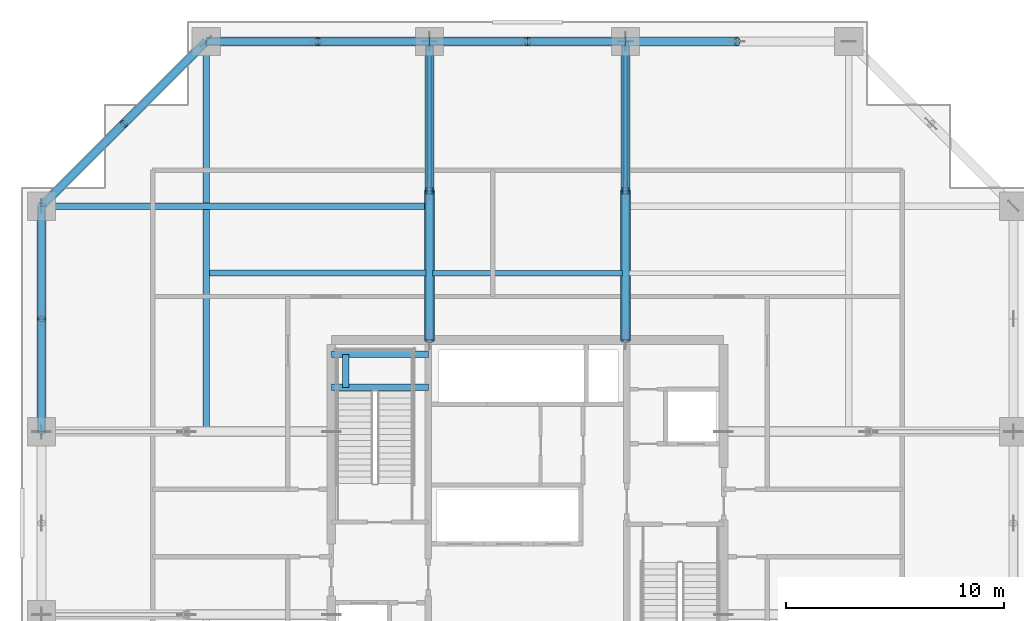
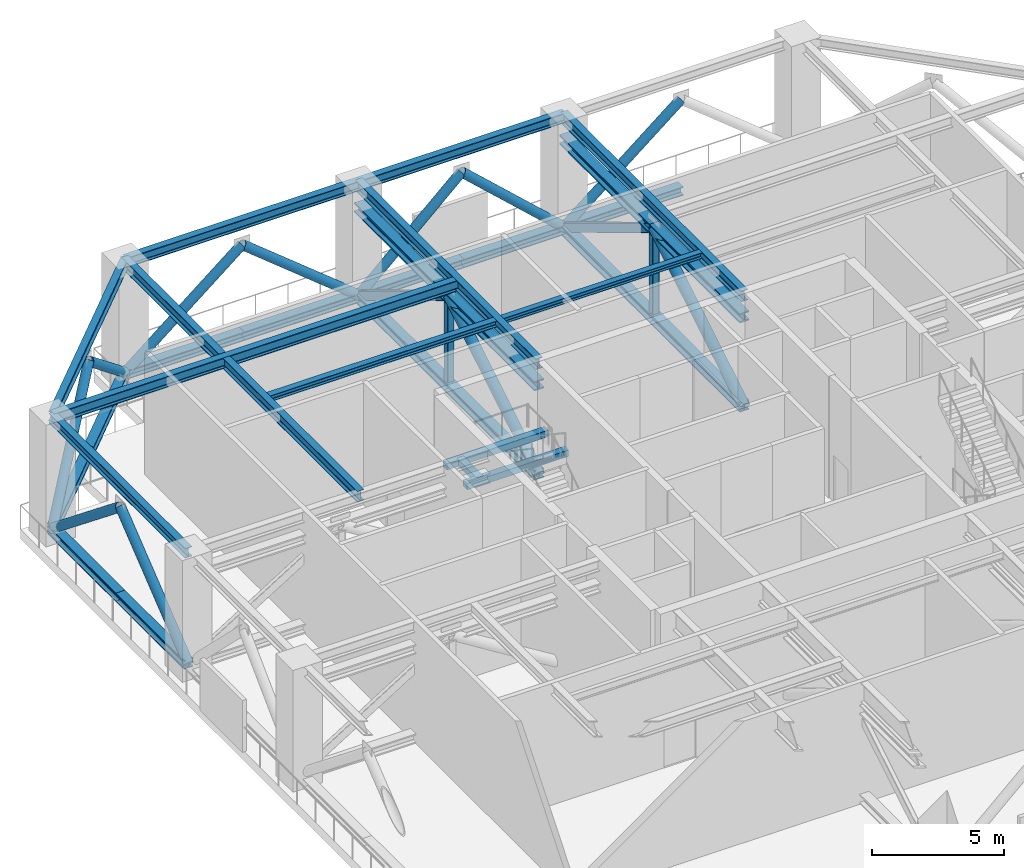
# One storey, part 5 of 22: 32 members, 13 beams.
"""IFC4 building model written with IfcOpenShell, lengths in metres."""

import ifcopenshell
import ifcopenshell.guid

model = None  # the IFC model being written
_history = None  # IfcOwnerHistory: only IFC2X3 demands one
_inside = {}  # id of a spatial element -> (the spatial element, [elements in it])
_under = {}  # id of a project, library or spatial element -> (it, [spatial elements below it])
_declared = {}  # id of a project -> (the project, [libraries it declares])
_typed = {}  # id of a type object -> (the type object, [elements of that type])
_made_of = {}  # id of a material, layer set ... -> (it, [elements and type objects made of it])


def new_model(schema):
    """Start an empty IFC model of exactly this schema.

    Asked for "IFC4X3", IfcOpenShell would pick the latest addendum, in which some entities
    have other attributes; the version numbers below select the first issue.
    IFC2X3 requires an IfcOwnerHistory on every rooted entity: one is made here for all.
    """
    global model, _history
    if schema == "IFC4X3":
        model = ifcopenshell.file(schema_version=(4, 3, 0, 0))
    else:
        model = ifcopenshell.file(schema=schema)
    _inside.clear()
    _under.clear()
    _declared.clear()
    _typed.clear()
    _made_of.clear()
    _history = None
    if model.schema == "IFC2X3":
        org = make("IfcOrganization", Name="unknown")
        user = make(
            "IfcPersonAndOrganization",
            ThePerson=make("IfcPerson", FamilyName="unknown"),
            TheOrganization=org,
        )
        app = make(
            "IfcApplication",
            ApplicationDeveloper=org,
            Version="unknown",
            ApplicationFullName="unknown",
            ApplicationIdentifier="unknown",
        )
        _history = make(
            "IfcOwnerHistory",
            OwningUser=user,
            OwningApplication=app,
            ChangeAction="ADDED",
            CreationDate=0,
        )
    return model


def make(cls, **values):
    """One entity of the class cls with the attributes given. An attribute that is None is left unset."""
    return model.create_entity(
        cls, **{name: value for name, value in values.items() if value is not None}
    )


def rooted(cls, **values):
    """An entity with a GlobalId (a new one), such as an element, a storey or a relation."""
    return make(cls, GlobalId=ifcopenshell.guid.new(), OwnerHistory=_history, **values)


def si_unit(unit_type, name, prefix=None):
    """IfcSIUnit, for example si_unit("LENGTHUNIT", "METRE", prefix="MILLI")."""
    return make("IfcSIUnit", UnitType=unit_type, Prefix=prefix, Name=name)


def assignment(units):
    """IfcUnitAssignment: the units of a project."""
    return None if units is None else make("IfcUnitAssignment", Units=units)


def point(xyz):
    """IfcCartesianPoint."""
    return None if xyz is None else make("IfcCartesianPoint", Coordinates=xyz)


def direction(xyz):
    """IfcDirection."""
    return None if xyz is None else make("IfcDirection", DirectionRatios=xyz)


def frame(location, z_axis=None, x_axis=None):
    """IfcAxis2Placement3D, a coordinate frame: its origin and axes. An axis left out is left unset."""
    return make(
        "IfcAxis2Placement3D",
        Location=point(location),
        Axis=direction(z_axis),
        RefDirection=direction(x_axis),
    )


def frame_2d(location, x_axis=None):
    """IfcAxis2Placement2D, a coordinate frame in the plane: its origin and x axis."""
    return make(
        "IfcAxis2Placement2D", Location=point(location), RefDirection=direction(x_axis)
    )


def origin():
    """The frame at (0, 0, 0) with its axes left unset."""
    return frame((0.0, 0.0, 0.0))


def origin_2d():
    """The frame at (0, 0) in the plane with its x axis left unset."""
    return frame_2d((0.0, 0.0))


def place(relative_to, where):
    """IfcLocalPlacement: puts the frame where relative to a parent placement (None: the world)."""
    return make(
        "IfcLocalPlacement", PlacementRelTo=relative_to, RelativePlacement=where
    )


def context(
    kind, dimensions, precision=None, world=None, true_north=None, identifier=None
):
    """IfcGeometricRepresentationContext, for example the 3D "Model" context."""
    return make(
        "IfcGeometricRepresentationContext",
        ContextIdentifier=identifier,
        ContextType=kind,
        CoordinateSpaceDimension=dimensions,
        Precision=precision,
        WorldCoordinateSystem=world,
        TrueNorth=true_north,
    )


def subcontext(parent, identifier, kind, view, scale=None):
    """IfcGeometricRepresentationSubContext, for example "Body" below "Model"."""
    return make(
        "IfcGeometricRepresentationSubContext",
        ContextIdentifier=identifier,
        ContextType=kind,
        ParentContext=parent,
        TargetScale=scale,
        TargetView=view,
    )


def project(units=None, contexts=None):
    """IfcProject with its units and contexts."""
    return rooted(
        "IfcProject",
        Name="project",
        RepresentationContexts=contexts,
        UnitsInContext=assignment(units),
    )


def spatial(cls, under=None, at=None, **own):
    """A site, building, storey or space (cls), placed at a placement, below another one or the project."""
    s = rooted(cls, ObjectPlacement=at, **own)
    if under is not None:
        _under.setdefault(under.id(), (under, []))[1].append(s)
    return s


def profile(cls, at=None, kind="AREA", **sizes):
    """A parametric profile (cls). Its sizes go by their IFC names, for example OverallWidth=200.0."""
    return make(cls, ProfileType=kind, Position=at, **sizes)


def rectangle(**sizes):
    """IfcRectangleProfileDef."""
    return profile("IfcRectangleProfileDef", **sizes)


def hollow_rectangle(**sizes):
    """IfcRectangleHollowProfileDef."""
    return profile("IfcRectangleHollowProfileDef", **sizes)


def hollow_circle(**sizes):
    """IfcCircleHollowProfileDef."""
    return profile("IfcCircleHollowProfileDef", **sizes)


def i_section(**sizes):
    """IfcIShapeProfileDef."""
    return profile("IfcIShapeProfileDef", **sizes)


def extrude(swept, where, along, depth):
    """IfcExtrudedAreaSolid: the profile swept, set in the frame where, extruded along a direction by depth."""
    return make(
        "IfcExtrudedAreaSolid",
        SweptArea=swept,
        Position=where,
        ExtrudedDirection=direction(along),
        Depth=depth,
    )


def shape(context_of_items, identifier, shape_type, items):
    """IfcShapeRepresentation: the items that make up one representation, for example the "Body"."""
    return make(
        "IfcShapeRepresentation",
        ContextOfItems=context_of_items,
        RepresentationIdentifier=identifier,
        RepresentationType=shape_type,
        Items=items,
    )


def source(mapping_origin, context_of_items, identifier, shape_type, items):
    """IfcRepresentationMap: a shape defined once, which mapped items show again and again."""
    return make(
        "IfcRepresentationMap",
        MappingOrigin=mapping_origin,
        MappedRepresentation=shape(context_of_items, identifier, shape_type, items),
    )


def transform(
    local_origin,
    x_axis=None,
    y_axis=None,
    z_axis=None,
    scale=None,
    scale2=None,
    scale3=None,
    uniform=True,
):
    """IfcCartesianTransformationOperator3D, or its non-uniform kind. x_axis, y_axis, z_axis: its Axis1, 2, 3."""
    if uniform:
        return make(
            "IfcCartesianTransformationOperator3D",
            Axis1=direction(x_axis),
            Axis2=direction(y_axis),
            LocalOrigin=point(local_origin),
            Scale=scale,
            Axis3=direction(z_axis),
        )
    return make(
        "IfcCartesianTransformationOperator3DnonUniform",
        Axis1=direction(x_axis),
        Axis2=direction(y_axis),
        LocalOrigin=point(local_origin),
        Scale=scale,
        Axis3=direction(z_axis),
        Scale2=scale2,
        Scale3=scale3,
    )


def mapped(mapping_source, mapping_target):
    """IfcMappedItem: shows the shape of a source again, moved by a transform."""
    return make(
        "IfcMappedItem", MappingSource=mapping_source, MappingTarget=mapping_target
    )


def material(Name=None, Category=None):
    """IfcMaterial."""
    return make("IfcMaterial", Name=Name, Category=Category)


def material_profile(
    of_material, cross_section, Name=None, Category=None, Priority=None
):
    """IfcMaterialProfile: a cross section and its material."""
    return make(
        "IfcMaterialProfile",
        Name=Name,
        Material=of_material,
        Profile=cross_section,
        Priority=Priority,
        Category=Category,
    )


def profile_set(profiles, Name=None, composite=None):
    """IfcMaterialProfileSet."""
    return make(
        "IfcMaterialProfileSet",
        Name=Name,
        MaterialProfiles=profiles,
        CompositeProfile=composite,
    )


def made_of(thing, what):
    """Note that an element or type object is made of a material, layer set ...; save() writes the relation."""
    if what is not None:
        _made_of.setdefault(what.id(), (what, []))[1].append(thing)
    return thing


def type_object(cls, material=None, **own):
    """A type object (cls), such as IfcWallType, which elements share."""
    return made_of(rooted(cls, **own), material)


def element(
    cls,
    number,
    at=None,
    inside=None,
    cuts=None,
    type_object=None,
    material=None,
    context=None,
    identifier="Body",
    shape_type=None,
    held_by="IfcProductDefinitionShape",
    body=None,
    shapes=None,
    **own,
):
    """One element of the class cls, such as IfcWall. Its Tag is "e" and its number.

    at: its placement. inside: the storey or other place that contains it. cuts: it is an
    opening in that element (IfcRelVoidsElement). A single representation is given by context,
    identifier, shape_type and body (its items); several are given by shapes. held_by: the class
    of the entity that holds the representations. save() writes the other relations.
    """
    e = rooted(cls, Tag="e%d" % number, ObjectPlacement=at, **own)
    if body is not None:
        shapes = [shape(context, identifier, shape_type, body)]
    if shapes is not None:
        e.Representation = make(held_by, Representations=shapes)
    if inside is not None:
        _inside.setdefault(inside.id(), (inside, []))[1].append(e)
    if cuts is not None:
        rooted(
            "IfcRelVoidsElement", RelatingBuildingElement=cuts, RelatedOpeningElement=e
        )
    if type_object is not None:
        _typed.setdefault(type_object.id(), (type_object, []))[1].append(e)
    return made_of(e, material)


def aggregate(whole, parts):
    """IfcRelAggregates: a whole, such as a stair, and the parts it consists of."""
    return rooted("IfcRelAggregates", RelatingObject=whole, RelatedObjects=parts)


def save(model, path):
    """Write the relations noted so far, then the file.

    IfcRelAggregates (storeys below a building ...), IfcRelContainedInSpatialStructure (elements
    in a storey), IfcRelDefinesByType, IfcRelAssociatesMaterial and IfcRelDeclares: one each for
    every whole, place, type object, material and project.
    """
    for whole, parts in _under.values():
        aggregate(whole, parts)
    for where, things in _inside.values():
        rooted(
            "IfcRelContainedInSpatialStructure",
            RelatedElements=things,
            RelatingStructure=where,
        )
    for kind, things in _typed.values():
        rooted("IfcRelDefinesByType", RelatedObjects=things, RelatingType=kind)
    for what, things in _made_of.values():
        rooted("IfcRelAssociatesMaterial", RelatedObjects=things, RelatingMaterial=what)
    for by, libraries in _declared.values():
        rooted("IfcRelDeclares", RelatingContext=by, RelatedDefinitions=libraries)
    model.write(path)


model = new_model("IFC4")

# Units and contexts
model_context = context("Model", 3, precision=1e-05, world=origin(), true_north=direction((0.0, 1.0)))
body_context = subcontext(model_context, "Body", "Model", "MODEL_VIEW")
ifc_project = project(units=[si_unit("LENGTHUNIT", "METRE"), si_unit("AREAUNIT", "SQUARE_METRE"), si_unit("VOLUMEUNIT", "CUBIC_METRE"), si_unit("PLANEANGLEUNIT", "RADIAN"), si_unit("MASSUNIT", "GRAM", prefix="KILO")], contexts=[model_context])

# Site, building, storey
site_placement = place(None, origin())
site = spatial("IfcSite", under=ifc_project, at=site_placement, CompositionType="ELEMENT")
building_placement = place(site_placement, origin())
building = spatial("IfcBuilding", under=site, at=building_placement, Name="Serunith Strait Residences", CompositionType="ELEMENT")
storey_placement = place(building_placement, frame((0.0, 0.0, 198.89990234375)))
storey = spatial("IfcBuildingStorey", under=building, at=storey_placement, Name="L50", CompositionType="ELEMENT", Elevation=198.89990234375)

# Beams
ifc_material_1 = material(Name="Steel S355J2", Category="steel")
ifc_material_profile_1 = material_profile(ifc_material_1, i_section(OverallWidth=0.260009765625, OverallDepth=0.260009765625, WebThickness=0.010009765625, FlangeThickness=0.017578125, FilletRadius=0.02392578125, at=origin_2d()), Name="HEB 260")
ifc_profile_set_1 = profile_set([ifc_material_profile_1], Name="Steel S355J2")
beam_type_1 = type_object("IfcBeamType", Name="BM-HEB260", PredefinedType="JOIST", material=ifc_profile_set_1)
shared_shape_1 = source(origin(), body_context, "Body", "SweptSolid", [
    extrude(i_section(OverallWidth=0.260009765625, OverallDepth=0.260009765625, WebThickness=0.010009765625, FlangeThickness=0.017578125, FilletRadius=0.02392578125, at=origin_2d()), origin(), (0.0, 0.0, 1.0), 8.699951171875),
])
beam_1_placement = place(storey_placement, frame((28.050048828125, 36.675048828125, 5.507080078125), z_axis=(1.0, 0.0, 0.0), x_axis=(0.0, 1.0, 0.0)))
element("IfcBeam", 1, at=beam_1_placement, inside=storey, type_object=beam_type_1, Name="L50 Composite Floor Joist 05", PredefinedType="JOIST", context=body_context, shape_type="MappedRepresentation", body=[
    mapped(shared_shape_1, transform((0.0, 0.0, 0.0), scale=1.0)),
])
ifc_material_profile_2 = material_profile(ifc_material_1, i_section(OverallWidth=0.300048828125, OverallDepth=0.449951171875, WebThickness=0.013916015625, FlangeThickness=0.02587890625, FilletRadius=0.027099609375, at=origin_2d()), Name="HEB 450")
ifc_profile_set_2 = profile_set([ifc_material_profile_2], Name="Steel S355J2")
beam_type_2 = type_object("IfcBeamType", Name="BM-HEB450", PredefinedType="BEAM", material=ifc_profile_set_2)
shared_shape_2 = source(origin(), body_context, "Body", "SweptSolid", [
    extrude(i_section(OverallWidth=0.300048828125, OverallDepth=0.449951171875, WebThickness=0.013916015625, FlangeThickness=0.02587890625, FilletRadius=0.027099609375, at=origin_2d()), origin(), (0.0, 0.0, 1.0), 9.0),
])
beam_2_placement = place(storey_placement, frame((36.89990234375, 47.300048828125, 5.412109375), z_axis=(-1.0, 0.0, 0.0), x_axis=(0.0, -1.0, 0.0)))
element("IfcBeam", 2, at=beam_2_placement, inside=storey, type_object=beam_type_2, Name="L50 Perimeter Ring Beam 10", PredefinedType="BEAM", context=body_context, shape_type="MappedRepresentation", body=[
    mapped(shared_shape_2, transform((0.0, 0.0, 0.0), scale=1.0)),
])
ifc_material_profile_3 = material_profile(ifc_material_1, i_section(OverallWidth=0.300048828125, OverallDepth=0.5, WebThickness=0.014404296875, FlangeThickness=0.028076171875, FilletRadius=0.027099609375, at=origin_2d()), Name="HEB 500")
ifc_profile_set_3 = profile_set([ifc_material_profile_3], Name="Steel S355J2")
beam_type_3 = type_object("IfcBeamType", Name="BM-HEB500", PredefinedType="BEAM", material=ifc_profile_set_3)
shared_shape_3 = source(origin(), body_context, "Body", "SweptSolid", [
    extrude(i_section(OverallWidth=0.300048828125, OverallDepth=0.5, WebThickness=0.014404296875, FlangeThickness=0.028076171875, FilletRadius=0.027099609375, at=origin_2d()), origin(), (0.0, 0.0, 1.0), 13.699951171875),
])
for number, where, z_axis, x_axis, name in (
    (3, (27.89990234375, 33.60009765625, 5.38720703125), (0.0, 1.0, 0.0), (-1.0, 0.0, 0.0), "L50 Primary Floor Girder TC-N2"),
    (4, (36.89990234375, 33.60009765625, 5.38720703125), (0.0, 1.0, 0.0), (-1.0, 0.0, 0.0), "L50 Primary Floor Girder TC-N3"),
):
    element("IfcBeam", number, at=place(storey_placement, frame(where, z_axis=z_axis, x_axis=x_axis)), inside=storey, type_object=beam_type_3, Name=name, PredefinedType="BEAM", context=body_context, shape_type="MappedRepresentation", body=[
        mapped(shared_shape_3, transform((0.0, 0.0, 0.0), scale=1.0)),
    ])
shared_shape_4 = source(origin(), body_context, "Body", "SweptSolid", [
    extrude(i_section(OverallWidth=0.300048828125, OverallDepth=0.5, WebThickness=0.014404296875, FlangeThickness=0.028076171875, FilletRadius=0.027099609375, at=origin_2d()), origin(), (0.0, 0.0, 1.0), 17.900146484375),
])
beam_3_placement = place(storey_placement, frame((17.64990234375, 29.39990234375, 5.38720703125), z_axis=(0.0, 1.0, 0.0), x_axis=(-1.0, 0.0, 0.0)))
element("IfcBeam", 5, at=beam_3_placement, inside=storey, type_object=beam_type_3, Name="L50 Orthogonal Corner Girder TC-N1", PredefinedType="BEAM", context=body_context, shape_type="MappedRepresentation", body=[
    mapped(shared_shape_4, transform((0.0, 0.0, 0.0), scale=1.0)),
])
shared_shape_5 = source(origin(), body_context, "Body", "SweptSolid", [
    extrude(i_section(OverallWidth=0.300048828125, OverallDepth=0.5, WebThickness=0.014404296875, FlangeThickness=0.028076171875, FilletRadius=0.027099609375, at=origin_2d()), origin(), (0.0, 0.0, 1.0), 17.7998046875),
])
beam_4_placement = place(storey_placement, frame((27.89990234375, 39.75, 5.38720703125), z_axis=(-1.0, 0.0, 0.0), x_axis=(0.0, -1.0, 0.0)))
element("IfcBeam", 6, at=beam_4_placement, inside=storey, type_object=beam_type_3, Name="L50 Orthogonal Corner Girder TC-W4", PredefinedType="BEAM", context=body_context, shape_type="MappedRepresentation", body=[
    mapped(shared_shape_5, transform((0.0, 0.0, 0.0), scale=1.0)),
])
shared_shape_6 = source(origin(), body_context, "Body", "SweptSolid", [
    extrude(i_section(OverallWidth=0.300048828125, OverallDepth=0.449951171875, WebThickness=0.013916015625, FlangeThickness=0.02587890625, FilletRadius=0.027099609375, at=origin_2d()), origin(), (0.0, 0.0, 1.0), 10.25),
])
beam_5_placement = place(storey_placement, frame((27.89990234375, 47.300048828125, 5.412109375), z_axis=(-1.0, 0.0, 0.0), x_axis=(0.0, -1.0, 0.0)))
element("IfcBeam", 7, at=beam_5_placement, inside=storey, type_object=beam_type_2, Name="L50 Perimeter Ring Beam 11", PredefinedType="BEAM", context=body_context, shape_type="MappedRepresentation", body=[
    mapped(shared_shape_6, transform((0.0, 0.0, 0.0), scale=1.0)),
])
shared_shape_7 = source(origin(), body_context, "Body", "SweptSolid", [
    extrude(i_section(OverallWidth=0.300048828125, OverallDepth=0.449951171875, WebThickness=0.013916015625, FlangeThickness=0.02587890625, FilletRadius=0.027099609375, at=origin_2d()), origin(), (0.0, 0.0, 1.0), 10.67724609375),
])
beam_6_placement = place(storey_placement, frame((17.64990234375, 47.300048828125, 5.412109375), z_axis=(-0.707095348302, -0.707118213887, 0.0), x_axis=(0.707118213887, -0.707095348302, 0.0)))
element("IfcBeam", 8, at=beam_6_placement, inside=storey, type_object=beam_type_2, Name="L50 Perimeter Ring Beam 12", PredefinedType="BEAM", context=body_context, shape_type="MappedRepresentation", body=[
    mapped(shared_shape_7, transform((0.0, 0.0, 0.0), scale=1.0)),
])
shared_shape_8 = source(origin(), body_context, "Body", "SweptSolid", [
    extrude(i_section(OverallWidth=0.300048828125, OverallDepth=0.449951171875, WebThickness=0.013916015625, FlangeThickness=0.02587890625, FilletRadius=0.027099609375, at=origin_2d()), origin(), (0.0, 0.0, 1.0), 10.35009765625),
])
beam_7_placement = place(storey_placement, frame((10.10009765625, 39.75, 5.412109375), z_axis=(0.0, -1.0, 0.0), x_axis=(1.0, 0.0, 0.0)))
element("IfcBeam", 9, at=beam_7_placement, inside=storey, type_object=beam_type_2, Name="L50 Perimeter Ring Beam 13", PredefinedType="BEAM", context=body_context, shape_type="MappedRepresentation", body=[
    mapped(shared_shape_8, transform((0.0, 0.0, 0.0), scale=1.0)),
])
ifc_material_profile_4 = material_profile(ifc_material_1, i_section(OverallWidth=0.280029296875, OverallDepth=0.280029296875, WebThickness=0.010498046875, FlangeThickness=0.01806640625, FilletRadius=0.02392578125, at=origin_2d()), Name="HEB 280")
ifc_profile_set_4 = profile_set([ifc_material_profile_4], Name="Steel S355J2")
beam_type_4 = type_object("IfcBeamType", Name="BM-HEB280", PredefinedType="JOIST", material=ifc_profile_set_4)
shared_shape_9 = source(origin(), body_context, "Body", "SweptSolid", [
    extrude(i_section(OverallWidth=0.280029296875, OverallDepth=0.280029296875, WebThickness=0.010498046875, FlangeThickness=0.01806640625, FilletRadius=0.02392578125, at=origin_2d()), origin(), (0.0, 0.0, 1.0), 9.949951171875),
])
beam_8_placement = place(storey_placement, frame((17.800048828125, 36.675048828125, 5.4970703125), z_axis=(1.0, 0.0, 0.0), x_axis=(0.0, 1.0, 0.0)))
element("IfcBeam", 10, at=beam_8_placement, inside=storey, type_object=beam_type_4, Name="L50 Composite Floor Joist 04", PredefinedType="JOIST", context=body_context, shape_type="MappedRepresentation", body=[
    mapped(shared_shape_9, transform((0.0, 0.0, 0.0), scale=1.0)),
])

# Members
ifc_material_2 = material(Name="Steel S460M", Category="steel")
ifc_material_profile_5 = material_profile(ifc_material_2, i_section(OverallWidth=0.412109375, OverallDepth=0.43505859375, WebThickness=0.035888671875, FlangeThickness=0.057373046875, FilletRadius=0.014892578125, at=origin_2d()), Name="HD 400x463")
ifc_profile_set_5 = profile_set([ifc_material_profile_5], Name="Steel S460M")
member_type_1 = type_object("IfcMemberType", Name="MBR-CHORD-HD463", PredefinedType="CHORD", material=ifc_profile_set_5)
shared_shape_10 = source(origin(), body_context, "Body", "SweptSolid", [
    extrude(i_section(OverallWidth=0.412109375, OverallDepth=0.43505859375, WebThickness=0.035888671875, FlangeThickness=0.057373046875, FilletRadius=0.014892578125, at=origin_2d()), origin(), (0.0, 0.0, 1.0), 6.85009765625),
])
for number, where, z_axis, x_axis, name in (
    (11, (27.89990234375, 40.449951171875, 0.25), (0.0, 1.0, 0.0), (-1.0, 0.0, 0.0), "L50 Outrigger Arm 3 Bottom Chord 2"),
    (12, (27.89990234375, 40.449951171875, 4.39013671875), (0.0, 1.0, 0.0), (-1.0, 0.0, 0.0), "L50 Outrigger Arm 3 Top Chord 2"),
    (13, (36.89990234375, 40.449951171875, 0.25), (0.0, 1.0, 0.0), (-1.0, 0.0, 0.0), "L50 Outrigger Arm 4 Bottom Chord 2"),
    (14, (36.89990234375, 40.449951171875, 4.39013671875), (0.0, 1.0, 0.0), (-1.0, 0.0, 0.0), "L50 Outrigger Arm 4 Top Chord 2"),
):
    element("IfcMember", number, at=place(storey_placement, frame(where, z_axis=z_axis, x_axis=x_axis)), inside=storey, type_object=member_type_1, Name=name, PredefinedType="CHORD", context=body_context, shape_type="MappedRepresentation", body=[
        mapped(shared_shape_10, transform((0.0, 0.0, 0.0), scale=1.0)),
    ])
shared_shape_11 = source(origin(), body_context, "Body", "SweptSolid", [
    extrude(i_section(OverallWidth=0.412109375, OverallDepth=0.43505859375, WebThickness=0.035888671875, FlangeThickness=0.057373046875, FilletRadius=0.014892578125, at=origin_2d()), origin(), (0.0, 0.0, 1.0), 6.849853515625),
])
for number, where, z_axis, x_axis, name in (
    (15, (27.89990234375, 33.60009765625, 0.25), (0.0, 1.0, 0.0), (-1.0, 0.0, 0.0), "L50 Outrigger Arm 3 Bottom Chord 1"),
    (16, (27.89990234375, 33.60009765625, 4.39013671875), (0.0, 1.0, 0.0), (-1.0, 0.0, 0.0), "L50 Outrigger Arm 3 Top Chord 1"),
    (17, (36.89990234375, 33.60009765625, 0.25), (0.0, 1.0, 0.0), (-1.0, 0.0, 0.0), "L50 Outrigger Arm 4 Bottom Chord 1"),
    (18, (36.89990234375, 33.60009765625, 4.39013671875), (0.0, 1.0, 0.0), (-1.0, 0.0, 0.0), "L50 Outrigger Arm 4 Top Chord 1"),
):
    element("IfcMember", number, at=place(storey_placement, frame(where, z_axis=z_axis, x_axis=x_axis)), inside=storey, type_object=member_type_1, Name=name, PredefinedType="CHORD", context=body_context, shape_type="MappedRepresentation", body=[
        mapped(shared_shape_11, transform((0.0, 0.0, 0.0), scale=1.0)),
    ])
ifc_material_profile_6 = material_profile(ifc_material_2, hollow_rectangle(XDim=0.300048828125, YDim=0.300048828125, WallThickness=0.012451171875, InnerFilletRadius=0.018798828125, OuterFilletRadius=0.03125, at=origin_2d()), Name="SHS 300x300x12.5")
ifc_profile_set_6 = profile_set([ifc_material_profile_6], Name="Steel S460M")
member_type_2 = type_object("IfcMemberType", Name="MBR-STRUT-SHS300", PredefinedType="STRUT", material=ifc_profile_set_6)
shared_shape_12 = source(origin(), body_context, "Body", "SweptSolid", [
    extrude(hollow_rectangle(XDim=0.300048828125, YDim=0.300048828125, WallThickness=0.012451171875, InnerFilletRadius=0.018798828125, OuterFilletRadius=0.03125, at=origin_2d()), origin(), (0.0, 0.0, 1.0), 4.14013671875),
])
for number, where, z_axis, x_axis, name in (
    (19, (27.89990234375, 40.449951171875, 0.25), (0.0, 0.0, 1.0), (1.0, 0.0, 0.0), "L50 Outrigger Arm 3 Mid Post"),
    (20, (36.89990234375, 40.449951171875, 0.25), (0.0, 0.0, 1.0), (1.0, 0.0, 0.0), "L50 Outrigger Arm 4 Mid Post"),
):
    element("IfcMember", number, at=place(storey_placement, frame(where, z_axis=z_axis, x_axis=x_axis)), inside=storey, type_object=member_type_2, Name=name, PredefinedType="STRUT", context=body_context, shape_type="MappedRepresentation", body=[
        mapped(shared_shape_12, transform((0.0, 0.0, 0.0), scale=1.0)),
    ])
ifc_material_profile_7 = material_profile(ifc_material_2, hollow_circle(Radius=0.228515625, WallThickness=0.01611328125, at=origin_2d()), Name="CHS 457x16")
ifc_profile_set_7 = profile_set([ifc_material_profile_7], Name="Steel S460M")
member_type_3 = type_object("IfcMemberType", Name="MBR-DIAG-CHS457", PredefinedType="BRACE", material=ifc_profile_set_7)
shared_shape_13 = source(origin(), body_context, "Body", "SweptSolid", [
    extrude(hollow_circle(Radius=0.228515625, WallThickness=0.01611328125, at=origin_2d()), origin(), (0.0, 0.0, 1.0), 8.00390625),
])
for number, where, z_axis, x_axis, name in (
    (21, (27.89990234375, 33.60009765625, 0.25), (0.0, 0.855822428483, 0.51726972742), (-1.0, 0.0, 0.0), "L50 Outrigger Arm 3 Inner Diagonal"),
    (22, (36.89990234375, 33.60009765625, 0.25), (0.0, 0.855822428483, 0.51726972742), (-1.0, 0.0, 0.0), "L50 Outrigger Arm 4 Inner Diagonal"),
):
    element("IfcMember", number, at=place(storey_placement, frame(where, z_axis=z_axis, x_axis=x_axis)), inside=storey, type_object=member_type_3, Name=name, PredefinedType="BRACE", context=body_context, shape_type="MappedRepresentation", body=[
        mapped(shared_shape_13, transform((0.0, 0.0, 0.0), scale=1.0)),
    ])
ifc_material_profile_8 = material_profile(ifc_material_2, hollow_rectangle(XDim=0.199951171875, YDim=0.39990234375, WallThickness=0.01611328125, InnerFilletRadius=0.02392578125, OuterFilletRadius=0.0400390625, at=origin_2d()), Name="RHS 400x200x16")
ifc_profile_set_8 = profile_set([ifc_material_profile_8], Name="Steel S460M")
member_type_4 = type_object("IfcMemberType", Name="MBR-BRACE-RHS400", PredefinedType="BRACE", material=ifc_profile_set_8)
shared_shape_14 = source(origin(), body_context, "Body", "SweptSolid", [
    extrude(hollow_rectangle(XDim=0.199951171875, YDim=0.39990234375, WallThickness=0.01611328125, InnerFilletRadius=0.02392578125, OuterFilletRadius=0.0400390625, at=origin_2d()), origin(), (0.0, 0.0, 1.0), 8.004150390625),
])
for number, where, z_axis, x_axis, name in (
    (23, (27.89990234375, 40.449951171875, 4.39013671875), (0.0, 0.855830589787, -0.517256224307), (-1.0, 0.0, 0.0), "L50 Outrigger Arm 3 Outer Diagonal"),
    (24, (36.89990234375, 40.449951171875, 4.39013671875), (0.0, 0.855830589787, -0.517256224307), (-1.0, 0.0, 0.0), "L50 Outrigger Arm 4 Outer Diagonal"),
):
    element("IfcMember", number, at=place(storey_placement, frame(where, z_axis=z_axis, x_axis=x_axis)), inside=storey, type_object=member_type_4, Name=name, PredefinedType="BRACE", context=body_context, shape_type="MappedRepresentation", body=[
        mapped(shared_shape_14, transform((0.0, 0.0, 0.0), scale=1.0)),
    ])
ifc_material_profile_9 = material_profile(ifc_material_2, i_section(OverallWidth=0.40087890625, OverallDepth=0.39892578125, WebThickness=0.02490234375, FlangeThickness=0.03955078125, FilletRadius=0.014892578125, at=origin_2d()), Name="HD 400x314")
ifc_profile_set_9 = profile_set([ifc_material_profile_9], Name="Steel S460M")
member_type_5 = type_object("IfcMemberType", Name="MBR-CHORD-HD314", PredefinedType="CHORD", material=ifc_profile_set_9)
shared_shape_15 = source(origin(), body_context, "Body", "SweptSolid", [
    extrude(i_section(OverallWidth=0.40087890625, OverallDepth=0.39892578125, WebThickness=0.02490234375, FlangeThickness=0.03955078125, FilletRadius=0.014892578125, at=origin_2d()), origin(), (0.0, 0.0, 1.0), 5.125),
])
for number, where, z_axis, x_axis, name in (
    (25, (42.02490234375, 47.300048828125, 0.25), (-1.0, 0.0, 0.0), (0.0, -1.0, 0.0), "L50 Belt Truss Bay 09 Chord B"),
    (26, (27.89990234375, 47.300048828125, 0.25), (-1.0, 0.0, 0.0), (0.0, -1.0, 0.0), "L50 Belt Truss Bay 11 Chord A"),
    (27, (22.77490234375, 47.300048828125, 0.25), (-1.0, 0.0, 0.0), (0.0, -1.0, 0.0), "L50 Belt Truss Bay 11 Chord B"),
):
    element("IfcMember", number, at=place(storey_placement, frame(where, z_axis=z_axis, x_axis=x_axis)), inside=storey, type_object=member_type_5, Name=name, PredefinedType="CHORD", context=body_context, shape_type="MappedRepresentation", body=[
        mapped(shared_shape_15, transform((0.0, 0.0, 0.0), scale=1.0)),
    ])
ifc_material_profile_10 = material_profile(ifc_material_2, hollow_circle(Radius=0.203125, WallThickness=0.01611328125, at=origin_2d()), Name="CHS 406.4x16")
ifc_profile_set_10 = profile_set([ifc_material_profile_10], Name="Steel S460M")
member_type_6 = type_object("IfcMemberType", Name="MBR-DIAG-CHS406", PredefinedType="BRACE", material=ifc_profile_set_10)
shared_shape_16 = source(origin(), body_context, "Body", "SweptSolid", [
    extrude(hollow_circle(Radius=0.203125, WallThickness=0.01611328125, at=origin_2d()), origin(), (0.0, 0.0, 1.0), 6.58837890625),
])
for number, where, z_axis, x_axis, name in (
    (28, (36.89990234375, 47.300048828125, 0.25), (0.77788823023, 0.0, 0.628402658548), (0.0, 1.0, 0.0), "L50 Belt Truss Bay 09 Diagonal 2"),
    (29, (27.89990234375, 47.300048828125, 0.25), (-0.77788823023, 0.0, 0.628402658548), (0.0, -1.0, 0.0), "L50 Belt Truss Bay 11 Diagonal 1"),
    (30, (17.64990234375, 47.300048828125, 0.25), (0.77788823023, 0.0, 0.628402658548), (0.0, 1.0, 0.0), "L50 Belt Truss Bay 11 Diagonal 2"),
):
    element("IfcMember", number, at=place(storey_placement, frame(where, z_axis=z_axis, x_axis=x_axis)), inside=storey, type_object=member_type_6, Name=name, PredefinedType="BRACE", context=body_context, shape_type="MappedRepresentation", body=[
        mapped(shared_shape_16, transform((0.0, 0.0, 0.0), scale=1.0)),
    ])
shared_shape_17 = source(origin(), body_context, "Body", "SweptSolid", [
    extrude(i_section(OverallWidth=0.40087890625, OverallDepth=0.39892578125, WebThickness=0.02490234375, FlangeThickness=0.03955078125, FilletRadius=0.014892578125, at=origin_2d()), origin(), (0.0, 0.0, 1.0), 4.5),
])
for number, where, z_axis, x_axis, name in (
    (31, (36.89990234375, 47.300048828125, 0.25), (-1.0, 0.0, 0.0), (0.0, -1.0, 0.0), "L50 Belt Truss Bay 10 Chord A"),
    (32, (32.39990234375, 47.300048828125, 0.25), (-1.0, 0.0, 0.0), (0.0, -1.0, 0.0), "L50 Belt Truss Bay 10 Chord B"),
):
    element("IfcMember", number, at=place(storey_placement, frame(where, z_axis=z_axis, x_axis=x_axis)), inside=storey, type_object=member_type_5, Name=name, PredefinedType="CHORD", context=body_context, shape_type="MappedRepresentation", body=[
        mapped(shared_shape_17, transform((0.0, 0.0, 0.0), scale=1.0)),
    ])
shared_shape_18 = source(origin(), body_context, "Body", "SweptSolid", [
    extrude(hollow_circle(Radius=0.203125, WallThickness=0.01611328125, at=origin_2d()), origin(), (0.0, 0.0, 1.0), 6.11474609375),
])
for number, where, z_axis, x_axis, name in (
    (33, (36.89990234375, 47.300048828125, 0.25), (-0.735919871074, 0.0, 0.677068640064), (0.0, -1.0, 0.0), "L50 Belt Truss Bay 10 Diagonal 1"),
    (34, (27.89990234375, 47.300048828125, 0.25), (0.735919871074, 0.0, 0.677068640064), (0.0, 1.0, 0.0), "L50 Belt Truss Bay 10 Diagonal 2"),
):
    element("IfcMember", number, at=place(storey_placement, frame(where, z_axis=z_axis, x_axis=x_axis)), inside=storey, type_object=member_type_6, Name=name, PredefinedType="BRACE", context=body_context, shape_type="MappedRepresentation", body=[
        mapped(shared_shape_18, transform((0.0, 0.0, 0.0), scale=1.0)),
    ])
shared_shape_19 = source(origin(), body_context, "Body", "SweptSolid", [
    extrude(i_section(OverallWidth=0.40087890625, OverallDepth=0.39892578125, WebThickness=0.02490234375, FlangeThickness=0.03955078125, FilletRadius=0.014892578125, at=origin_2d()), origin(), (0.0, 0.0, 1.0), 5.338623046875),
])
for number, where, z_axis, x_axis, name in (
    (35, (17.64990234375, 47.300048828125, 0.25), (-0.707083915602, -0.707129646032, 0.0), (0.707129646032, -0.707083915602, 0.0), "L50 Belt Truss Bay 12 Chord A"),
    (36, (13.875, 43.52490234375, 0.25), (-0.707106781187, -0.707106781187, 0.0), (0.707106781187, -0.707106781187, 0.0), "L50 Belt Truss Bay 12 Chord B"),
):
    element("IfcMember", number, at=place(storey_placement, frame(where, z_axis=z_axis, x_axis=x_axis)), inside=storey, type_object=member_type_5, Name=name, PredefinedType="CHORD", context=body_context, shape_type="MappedRepresentation", body=[
        mapped(shared_shape_19, transform((0.0, 0.0, 0.0), scale=1.0)),
    ])
shared_shape_20 = source(origin(), body_context, "Body", "SweptSolid", [
    extrude(hollow_circle(Radius=0.203125, WallThickness=0.01611328125, at=origin_2d()), origin(), (0.0, 0.0, 1.0), 6.755859375),
])
for number, where, z_axis, x_axis, name in (
    (37, (17.64990234375, 47.300048828125, 0.25), (-0.558755381564, -0.558791518893, 0.612816825803), (0.707129646032, -0.707083915602, 0.0), "L50 Belt Truss Bay 12 Diagonal 1"),
    (38, (10.10009765625, 39.75, 0.25), (0.558766664618, 0.558766664618, 0.61282920053), (-0.707106781187, 0.707106781187, 0.0), "L50 Belt Truss Bay 12 Diagonal 2"),
):
    element("IfcMember", number, at=place(storey_placement, frame(where, z_axis=z_axis, x_axis=x_axis)), inside=storey, type_object=member_type_6, Name=name, PredefinedType="BRACE", context=body_context, shape_type="MappedRepresentation", body=[
        mapped(shared_shape_20, transform((0.0, 0.0, 0.0), scale=1.0)),
    ])
shared_shape_21 = source(origin(), body_context, "Body", "SweptSolid", [
    extrude(i_section(OverallWidth=0.40087890625, OverallDepth=0.39892578125, WebThickness=0.02490234375, FlangeThickness=0.03955078125, FilletRadius=0.014892578125, at=origin_2d()), origin(), (0.0, 0.0, 1.0), 5.175048828125),
])
for number, where, z_axis, x_axis, name in (
    (39, (10.10009765625, 39.75, 0.25), (0.0, -1.0, 0.0), (1.0, 0.0, 0.0), "L50 Belt Truss Bay 13 Chord A"),
    (40, (10.10009765625, 34.574951171875, 0.25), (0.0, -1.0, 0.0), (1.0, 0.0, 0.0), "L50 Belt Truss Bay 13 Chord B"),
):
    element("IfcMember", number, at=place(storey_placement, frame(where, z_axis=z_axis, x_axis=x_axis)), inside=storey, type_object=member_type_5, Name=name, PredefinedType="CHORD", context=body_context, shape_type="MappedRepresentation", body=[
        mapped(shared_shape_21, transform((0.0, 0.0, 0.0), scale=1.0)),
    ])
shared_shape_22 = source(origin(), body_context, "Body", "SweptSolid", [
    extrude(hollow_circle(Radius=0.203125, WallThickness=0.01611328125, at=origin_2d()), origin(), (0.0, 0.0, 1.0), 6.62744140625),
])
for number, where, z_axis, x_axis, name in (
    (41, (10.10009765625, 39.75, 0.25), (0.0, -0.780861621429, 0.624704032466), (1.0, 0.0, 0.0), "L50 Belt Truss Bay 13 Diagonal 1"),
    (42, (10.10009765625, 29.39990234375, 0.25), (0.0, 0.780861621429, 0.624704032466), (-1.0, 0.0, 0.0), "L50 Belt Truss Bay 13 Diagonal 2"),
):
    element("IfcMember", number, at=place(storey_placement, frame(where, z_axis=z_axis, x_axis=x_axis)), inside=storey, type_object=member_type_6, Name=name, PredefinedType="BRACE", context=body_context, shape_type="MappedRepresentation", body=[
        mapped(shared_shape_22, transform((0.0, 0.0, 0.0), scale=1.0)),
    ])

# Beams
ifc_material_3 = material(Name="Concrete C60/75", Category="concrete")
ifc_material_profile_11 = material_profile(ifc_material_3, rectangle(XDim=0.300048828125, YDim=0.300048828125, at=origin_2d()), Name="RC 300x300")
ifc_profile_set_11 = profile_set([ifc_material_profile_11], Name="Concrete C60/75")
beam_type_5 = type_object("IfcBeamType", Name="BM-LAND-300x300", PredefinedType="BEAM", material=ifc_profile_set_11)
shared_shape_23 = source(origin(), body_context, "Body", "SweptSolid", [
    extrude(rectangle(XDim=0.300048828125, YDim=0.300048828125, at=origin_2d()), origin(), (0.0, 0.0, 1.0), 4.4501953125),
])
for number, where, z_axis, x_axis, name in (
    (43, (23.39990234375, 31.429931640625, 2.650146484375), (1.0, 0.0, 0.0), (0.0, 1.0, 0.0), "L50 ST-1 Landing Support Beam 1"),
    (44, (23.39990234375, 32.949951171875, 2.650146484375), (1.0, 0.0, 0.0), (0.0, 1.0, 0.0), "L50 ST-1 Landing Support Beam 2"),
):
    element("IfcBeam", number, at=place(storey_placement, frame(where, z_axis=z_axis, x_axis=x_axis)), inside=storey, type_object=beam_type_5, Name=name, PredefinedType="BEAM", context=body_context, shape_type="MappedRepresentation", body=[
        mapped(shared_shape_23, transform((0.0, 0.0, 0.0), scale=1.0)),
    ])
shared_shape_24 = source(origin(), body_context, "Body", "SweptSolid", [
    extrude(rectangle(XDim=0.300048828125, YDim=0.300048828125, at=origin_2d()), origin(), (0.0, 0.0, 1.0), 1.52001953125),
])
beam_9_placement = place(storey_placement, frame((24.050048828125, 31.429931640625, 2.650146484375), z_axis=(0.0, 1.0, 0.0), x_axis=(-1.0, 0.0, 0.0)))
element("IfcBeam", 45, at=beam_9_placement, inside=storey, type_object=beam_type_5, Name="L50 ST-1 Landing Transverse Tie Beam", PredefinedType="BEAM", context=body_context, shape_type="MappedRepresentation", body=[
    mapped(shared_shape_24, transform((0.0, 0.0, 0.0), scale=1.0)),
])

save(model, "model.ifc")
